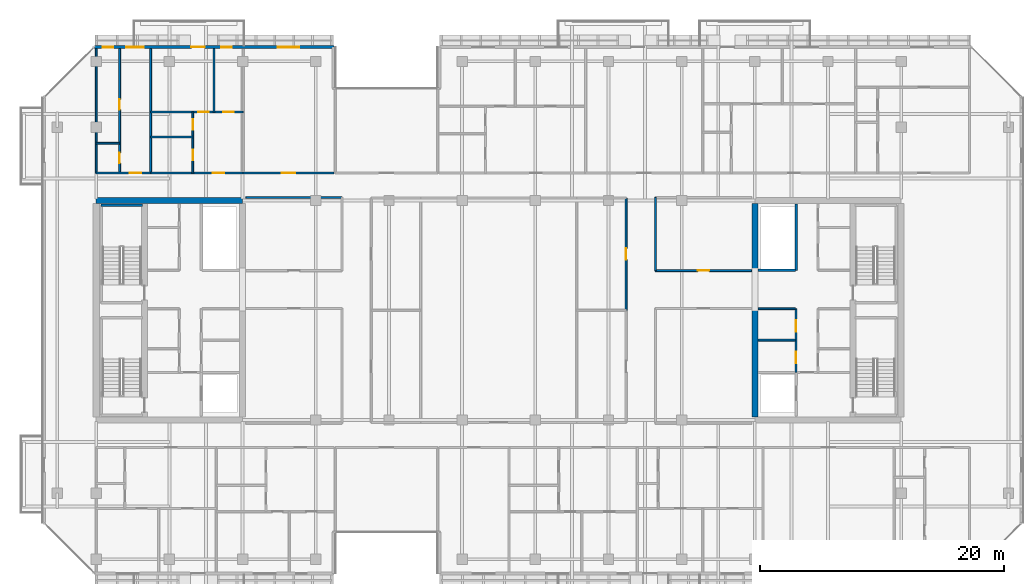
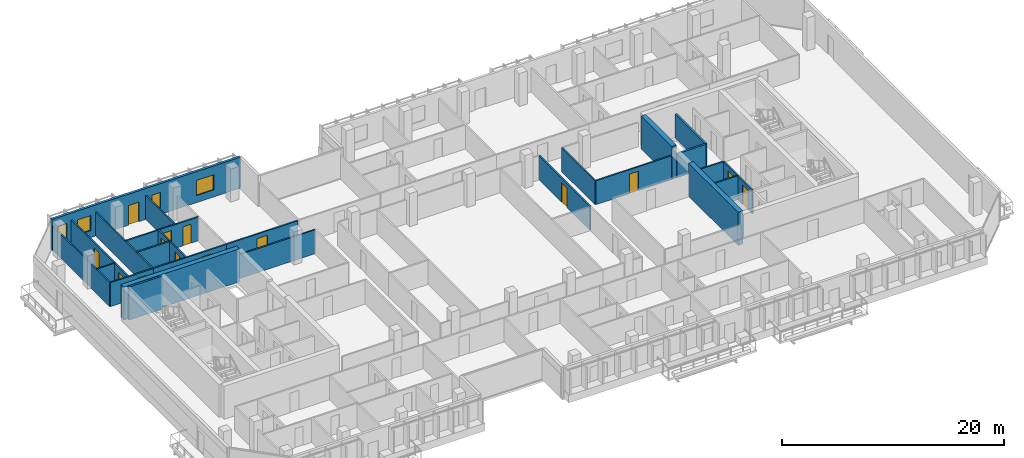
# One storey, part 22 of 30: 25 walls, 14 doors, 4 windows, 18 openings.
"""IFC4 building model written with IfcOpenShell, lengths in metres."""

from ifc_helpers import new_model, si_unit, direction, frame, frame_2d, origin, place, context, subcontext, project, spatial, rectangle, extrude, material, layer, layer_set, type_object, element, fill, save


model = new_model("IFC4")

# Units and contexts
model_context = context("Model", 3, precision=1e-05, world=origin(), true_north=direction((0.0, 1.0)))
body_context = subcontext(model_context, "Body", "Model", "MODEL_VIEW")
ifc_project = project(units=[si_unit("LENGTHUNIT", "METRE"), si_unit("AREAUNIT", "SQUARE_METRE"), si_unit("VOLUMEUNIT", "CUBIC_METRE"), si_unit("PLANEANGLEUNIT", "RADIAN"), si_unit("MASSUNIT", "GRAM", prefix="KILO")], contexts=[model_context])

# Site, building, storey
site_placement = place(None, origin())
site = spatial("IfcSite", under=ifc_project, at=site_placement, CompositionType="ELEMENT")
building_placement = place(site_placement, origin())
building = spatial("IfcBuilding", under=site, at=building_placement, Name="Tanjung Sevakor Pilgrim Tower", CompositionType="ELEMENT")
storey_placement = place(building_placement, frame((0.0, 0.0, 165.659912109375)))
storey = spatial("IfcBuildingStorey", under=building, at=storey_placement, Name="L46", CompositionType="ELEMENT", Elevation=165.659912109375)

# Walls
ifc_material_1 = material(Name="Concrete C60/75", Category="concrete")
ifc_layer_1 = layer(ifc_material_1, 0.5)
ifc_layer_set_1 = layer_set([ifc_layer_1], Name="WALL-CW-500")
wall_type_1 = type_object("IfcWallType", Name="WALL-CW-500", PredefinedType="SHEAR", material=ifc_layer_set_1)
wall_1_placement = place(storey_placement, frame((36.0, 42.60009765625, 0.0), z_axis=(0.0, 0.0, 1.0), x_axis=(-1.0, 0.0, 0.0)))
element("IfcWall", 1, at=wall_1_placement, inside=storey, type_object=wall_type_1, Name="L46 W Core North Shear Wall", PredefinedType="SHEAR", context=body_context, shape_type="SweptSolid", body=[
    extrude(rectangle(XDim=12.0, YDim=0.5, at=frame_2d((6.0, 0.0))), origin(), (0.0, 0.0, 1.0), 3.630126953125),
])
wall_2_placement = place(storey_placement, frame((78.0, 24.85009765625, 0.0), z_axis=(0.0, 0.0, 1.0), x_axis=(0.0, 1.0, 0.0)))
element("IfcWall", 2, at=wall_2_placement, inside=storey, type_object=wall_type_1, Name="L46 E Core Inner Shear Wall South", PredefinedType="SHEAR", context=body_context, shape_type="SweptSolid", body=[
    extrude(rectangle(XDim=8.949951171875, YDim=0.5, at=frame_2d((4.47509765625, 0.0))), origin(), (0.0, 0.0, 1.0), 3.630126953125),
])
wall_3_placement = place(storey_placement, frame((78.0, 36.800048828125, 0.0), z_axis=(0.0, 0.0, 1.0), x_axis=(0.0, 1.0, 0.0)))
element("IfcWall", 3, at=wall_3_placement, inside=storey, type_object=wall_type_1, Name="L46 E Core Inner Shear Wall North", PredefinedType="SHEAR", context=body_context, shape_type="SweptSolid", body=[
    extrude(rectangle(XDim=5.550048828125, YDim=0.5, at=frame_2d((2.77490234375, 0.0))), origin(), (0.0, 0.0, 1.0), 3.630126953125),
])
ifc_material_2 = material(Name="Concrete C40/50", Category="concrete")
ifc_layer_2 = layer(ifc_material_2, 0.14990234375)
ifc_layer_set_2 = layer_set([ifc_layer_2], Name="WT-COMP-150")
wall_type_2 = type_object("IfcWallType", Name="WT-COMP-150", PredefinedType="SOLIDWALL", material=ifc_layer_set_2)
for number, where, z_axis, x_axis, name in (
    (4, (78.27001953125, 31.14990234375, 0.0), (0.0, 0.0, 1.0), (1.0, 0.0, 0.0), "L46 Partition IW-L46-019"),
    (5, (78.27001953125, 33.719970703125, 0.0), (0.0, 0.0, 1.0), (1.0, 0.0, 0.0), "L46 Partition IW-L46-020"),
):
    element("IfcWall", number, at=place(storey_placement, frame(where, z_axis=z_axis, x_axis=x_axis)), inside=storey, type_object=wall_type_2, Name=name, PredefinedType="SOLIDWALL", context=body_context, shape_type="SweptSolid", body=[
        extrude(rectangle(XDim=3.050048828125, YDim=0.14990234375, at=frame_2d((1.52490234375, 0.0))), origin(), (0.0, 0.0, 1.0), 2.6298828125),
    ])

# Wall, openings, doors
wall_4_placement = place(storey_placement, frame((81.3798828125, 28.5, 0.0), z_axis=(0.0, 0.0, 1.0), x_axis=(0.0, 1.0, 0.0)))
wall_4 = element("IfcWall", 6, at=wall_4_placement, inside=storey, type_object=wall_type_2, Name="L46 Partition IW-L46-021", PredefinedType="SOLIDWALL", context=body_context, shape_type="SweptSolid", body=[
    extrude(rectangle(XDim=5.219970703125, YDim=0.14990234375, at=frame_2d((2.60986328125, 0.0))), origin(), (0.0, 0.0, 1.0), 2.6298828125),
])
opening_1_placement = place(wall_4_placement, frame((0.75, 0.0, 0.0)))
opening_1 = element("IfcOpeningElement", 7, at=opening_1_placement, cuts=wall_4, Name="Opening ID-FD2", PredefinedType="OPENING", context=body_context, shape_type="SweptSolid", body=[
    extrude(rectangle(XDim=0.949951171875, YDim=2.14990234375, at=frame_2d((0.47509765625, 1.074951171875))), frame((0.0, 0.0849609375, 0.0), z_axis=(0.0, -1.0, 0.0), x_axis=(1.0, 0.0, 0.0)), (0.0, 0.0, 1.0), 0.169921875),
])
opening_2_placement = place(wall_4_placement, frame((3.35009765625, 0.0, 0.0)))
opening_2 = element("IfcOpeningElement", 8, at=opening_2_placement, cuts=wall_4, Name="Opening ID-FD2", PredefinedType="OPENING", context=body_context, shape_type="SweptSolid", body=[
    extrude(rectangle(XDim=0.949951171875, YDim=2.14990234375, at=frame_2d((0.47509765625, 1.074951171875))), frame((0.0, 0.0849609375, 0.0), z_axis=(0.0, -1.0, 0.0), x_axis=(1.0, 0.0, 0.0)), (0.0, 0.0, 1.0), 0.169921875),
])
ifc_material_3 = material(Name="Fire-Rated Timber", Category="wood")
door_type_1 = type_object("IfcDoorType", Name="DT-FIRE-950", OperationType="NOTDEFINED", PredefinedType="DOOR", material=ifc_material_3)
door_1_placement = place(opening_1_placement, origin())
door_1 = element("IfcDoor", 9, at=door_1_placement, inside=storey, type_object=door_type_1, Name="L46 Accessible WC Door", OperationType="SINGLE_SWING_RIGHT", OverallHeight=2.14990234375, OverallWidth=0.949951171875, PredefinedType="DOOR", context=body_context, shape_type="SweptSolid", body=[
    extrude(rectangle(XDim=0.949951171875, YDim=2.14990234375, at=frame_2d((0.47509765625, 1.074951171875))), frame((0.0, 0.02490234375, 0.0), z_axis=(0.0, -1.0, 0.0), x_axis=(1.0, 0.0, 0.0)), (0.0, 0.0, 1.0), 0.050048828125),
])
fill(opening_1, door_1)
door_2_placement = place(opening_2_placement, origin())
door_2 = element("IfcDoor", 10, at=door_2_placement, inside=storey, type_object=door_type_1, Name="L46 Core Service Door", OperationType="SINGLE_SWING_LEFT", OverallHeight=2.14990234375, OverallWidth=0.949951171875, PredefinedType="DOOR", context=body_context, shape_type="SweptSolid", body=[
    extrude(rectangle(XDim=0.949951171875, YDim=2.14990234375, at=frame_2d((0.47509765625, 1.074951171875))), frame((0.0, 0.02490234375, 0.0), z_axis=(0.0, -1.0, 0.0), x_axis=(1.0, 0.0, 0.0)), (0.0, 0.0, 1.0), 0.050048828125),
])
fill(opening_2, door_2)

# Wall
wall_5_placement = place(storey_placement, frame((36.27001953125, 42.85009765625, 0.0), z_axis=(0.0, 0.0, 1.0), x_axis=(1.0, 0.0, 0.0)))
element("IfcWall", 11, at=wall_5_placement, inside=storey, type_object=wall_type_2, Name="L46 Partition IW-L46-031", PredefinedType="SOLIDWALL", context=body_context, shape_type="SweptSolid", body=[
    extrude(rectangle(XDim=7.8798828125, YDim=0.14990234375, at=frame_2d((3.93994140625, 0.0))), origin(), (0.0, 0.0, 1.0), 2.6298828125),
])

# Wall, opening, door
wall_6_placement = place(storey_placement, frame((69.85009765625, 36.85009765625, 0.0), z_axis=(0.0, 0.0, 1.0), x_axis=(1.0, 0.0, 0.0)))
wall_6 = element("IfcWall", 12, at=wall_6_placement, inside=storey, type_object=wall_type_2, Name="L46 Partition IW-L46-036", PredefinedType="SOLIDWALL", context=body_context, shape_type="SweptSolid", body=[
    extrude(rectangle(XDim=7.8798828125, YDim=0.14990234375, at=frame_2d((3.93994140625, 0.0))), origin(), (0.0, 0.0, 1.0), 2.6298828125),
])
opening_3_placement = place(wall_6_placement, frame((3.465087890625, 0.0, 0.0)))
opening_3 = element("IfcOpeningElement", 13, at=opening_3_placement, cuts=wall_6, Name="Opening ID-RM1", PredefinedType="OPENING", context=body_context, shape_type="SweptSolid", body=[
    extrude(rectangle(XDim=0.949951171875, YDim=2.14990234375, at=frame_2d((0.47509765625, 1.074951171875))), frame((0.0, 0.0849609375, 0.0), z_axis=(0.0, -1.0, 0.0), x_axis=(1.0, 0.0, 0.0)), (0.0, 0.0, 1.0), 0.169921875),
])
ifc_material_4 = material(Name="Hardwood Timber", Category="wood")
door_type_2 = type_object("IfcDoorType", Name="DT-INT-950", OperationType="NOTDEFINED", PredefinedType="DOOR", material=ifc_material_4)
door_3_placement = place(opening_3_placement, origin())
door_3 = element("IfcDoor", 14, at=door_3_placement, inside=storey, type_object=door_type_2, Name="L46 East Inboard North Door", OperationType="SINGLE_SWING_LEFT", OverallHeight=2.14990234375, OverallWidth=0.949951171875, PredefinedType="DOOR", context=body_context, shape_type="SweptSolid", body=[
    extrude(rectangle(XDim=0.949951171875, YDim=2.14990234375, at=frame_2d((0.47509765625, 1.074951171875))), frame((0.0, 0.02490234375, 0.0), z_axis=(0.0, -1.0, 0.0), x_axis=(1.0, 0.0, 0.0)), (0.0, 0.0, 1.0), 0.050048828125),
])
fill(opening_3, door_3)

# Wall
wall_7_placement = place(storey_placement, frame((69.85009765625, 36.85009765625, 0.0), z_axis=(0.0, 0.0, 1.0), x_axis=(0.0, 1.0, 0.0)))
element("IfcWall", 15, at=wall_7_placement, inside=storey, type_object=wall_type_2, Name="L46 Partition IW-L46-038", PredefinedType="SOLIDWALL", context=body_context, shape_type="SweptSolid", body=[
    extrude(rectangle(XDim=6.0, YDim=0.14990234375, at=frame_2d((3.0, 0.0))), origin(), (0.0, 0.0, 1.0), 2.6298828125),
])

# Wall, opening, door
wall_8_placement = place(storey_placement, frame((67.449951171875, 33.60009765625, 0.0), z_axis=(0.0, 0.0, 1.0), x_axis=(0.0, 1.0, 0.0)))
wall_8 = element("IfcWall", 16, at=wall_8_placement, inside=storey, type_object=wall_type_2, Name="L46 Partition IW-L46-052", PredefinedType="SOLIDWALL", context=body_context, shape_type="SweptSolid", body=[
    extrude(rectangle(XDim=9.199951171875, YDim=0.14990234375, at=frame_2d((4.60009765625, 0.0))), origin(), (0.0, 0.0, 1.0), 2.6298828125),
])
opening_4_placement = place(wall_8_placement, frame((4.125, 0.0, 0.0)))
opening_4 = element("IfcOpeningElement", 17, at=opening_4_placement, cuts=wall_8, Name="Opening ID-RM1", PredefinedType="OPENING", context=body_context, shape_type="SweptSolid", body=[
    extrude(rectangle(XDim=0.949951171875, YDim=2.14990234375, at=frame_2d((0.47509765625, 1.074951171875))), frame((0.0, 0.0849609375, 0.0), z_axis=(0.0, -1.0, 0.0), x_axis=(1.0, 0.0, 0.0)), (0.0, 0.0, 1.0), 0.169921875),
])
door_4_placement = place(opening_4_placement, origin())
door_4 = element("IfcDoor", 18, at=door_4_placement, inside=storey, type_object=door_type_2, Name="L46 Female Washroom Door", OperationType="SINGLE_SWING_RIGHT", OverallHeight=2.14990234375, OverallWidth=0.949951171875, PredefinedType="DOOR", context=body_context, shape_type="SweptSolid", body=[
    extrude(rectangle(XDim=0.949951171875, YDim=2.14990234375, at=frame_2d((0.47509765625, 1.074951171875))), frame((0.0, 0.02490234375, 0.0), z_axis=(0.0, -1.0, 0.0), x_axis=(1.0, 0.0, 0.0)), (0.0, 0.0, 1.0), 0.050048828125),
])
fill(opening_4, door_4)

# Walls
for number, where, z_axis, x_axis, name in (
    (19, (24.0, 44.85009765625, 0.0), (0.0, 0.0, 1.0), (0.0, 1.0, 0.0), "L46 Partition IW-L46-091"),
    (20, (28.457275390625, 44.85009765625, 0.0), (0.0, 0.0, 1.0), (0.0, 1.0, 0.0), "L46 Partition IW-L46-092"),
):
    element("IfcWall", number, at=place(storey_placement, frame(where, z_axis=z_axis, x_axis=x_axis)), inside=storey, type_object=wall_type_2, Name=name, PredefinedType="SOLIDWALL", context=body_context, shape_type="SweptSolid", body=[
        extrude(rectangle(XDim=10.199951171875, YDim=0.14990234375, at=frame_2d((5.10009765625, 0.0))), origin(), (0.0, 0.0, 1.0), 2.6298828125),
    ])

# Wall, opening, door
wall_9_placement = place(storey_placement, frame((24.0, 44.85009765625, 0.0), z_axis=(0.0, 0.0, 1.0), x_axis=(1.0, 0.0, 0.0)))
wall_9 = element("IfcWall", 21, at=wall_9_placement, inside=storey, type_object=wall_type_2, Name="L46 Partition IW-L46-095", PredefinedType="SOLIDWALL", context=body_context, shape_type="SweptSolid", body=[
    extrude(rectangle(XDim=4.457275390625, YDim=0.14990234375, at=frame_2d((2.228515625, 0.0))), origin(), (0.0, 0.0, 1.0), 2.6298828125),
])
opening_5_placement = place(wall_9_placement, frame((2.753662109375, 0.0, 0.0)))
opening_5 = element("IfcOpeningElement", 22, at=opening_5_placement, cuts=wall_9, Name="Opening ID-FD2", PredefinedType="OPENING", context=body_context, shape_type="SweptSolid", body=[
    extrude(rectangle(XDim=0.949951171875, YDim=2.14990234375, at=frame_2d((0.47509765625, 1.074951171875))), frame((0.0, 0.0849609375, 0.0), z_axis=(0.0, -1.0, 0.0), x_axis=(1.0, 0.0, 0.0)), (0.0, 0.0, 1.0), 0.169921875),
])
door_5_placement = place(opening_5_placement, origin())
door_5 = element("IfcDoor", 23, at=door_5_placement, inside=storey, type_object=door_type_1, Name="Hotel Guestroom Entrance", OperationType="SINGLE_SWING_RIGHT", OverallHeight=2.14990234375, OverallWidth=0.949951171875, PredefinedType="DOOR", context=body_context, shape_type="SweptSolid", body=[
    extrude(rectangle(XDim=0.949951171875, YDim=2.14990234375, at=frame_2d((0.47509765625, 1.074951171875))), frame((0.0, 0.02490234375, 0.0), z_axis=(0.0, -1.0, 0.0), x_axis=(1.0, 0.0, 0.0)), (0.0, 0.0, 1.0), 0.050048828125),
])
fill(opening_5, door_5)

wall_10_placement = place(storey_placement, frame((28.457275390625, 44.85009765625, 0.0), z_axis=(0.0, 0.0, 1.0), x_axis=(1.0, 0.0, 0.0)))
wall_10 = element("IfcWall", 24, at=wall_10_placement, inside=storey, type_object=wall_type_2, Name="L46 Partition IW-L46-101", PredefinedType="SOLIDWALL", context=body_context, shape_type="SweptSolid", body=[
    extrude(rectangle(XDim=7.593994140625, YDim=0.14990234375, at=frame_2d((3.796875, 0.0))), origin(), (0.0, 0.0, 1.0), 2.6298828125),
])
opening_6_placement = place(wall_10_placement, frame((5.09326171875, 0.0, 0.0)))
opening_6 = element("IfcOpeningElement", 25, at=opening_6_placement, cuts=wall_10, Name="Opening ID-FD2", PredefinedType="OPENING", context=body_context, shape_type="SweptSolid", body=[
    extrude(rectangle(XDim=0.949951171875, YDim=2.14990234375, at=frame_2d((0.47509765625, 1.074951171875))), frame((0.0, 0.0849609375, 0.0), z_axis=(0.0, -1.0, 0.0), x_axis=(1.0, 0.0, 0.0)), (0.0, 0.0, 1.0), 0.169921875),
])
door_6_placement = place(opening_6_placement, origin())
door_6 = element("IfcDoor", 26, at=door_6_placement, inside=storey, type_object=door_type_1, Name="Suite Entrance", OperationType="SINGLE_SWING_LEFT", OverallHeight=2.14990234375, OverallWidth=0.949951171875, PredefinedType="DOOR", context=body_context, shape_type="SweptSolid", body=[
    extrude(rectangle(XDim=0.949951171875, YDim=2.14990234375, at=frame_2d((0.47509765625, 1.074951171875))), frame((0.0, 0.02490234375, 0.0), z_axis=(0.0, -1.0, 0.0), x_axis=(1.0, 0.0, 0.0)), (0.0, 0.0, 1.0), 0.050048828125),
])
fill(opening_6, door_6)

wall_11_placement = place(storey_placement, frame((36.05126953125, 44.85009765625, 0.0), z_axis=(0.0, 0.0, 1.0), x_axis=(1.0, 0.0, 0.0)))
wall_11 = element("IfcWall", 27, at=wall_11_placement, inside=storey, type_object=wall_type_2, Name="L46 Partition IW-L46-102", PredefinedType="SOLIDWALL", context=body_context, shape_type="SweptSolid", body=[
    extrude(rectangle(XDim=7.4287109375, YDim=0.14990234375, at=frame_2d((3.71435546875, 0.0))), origin(), (0.0, 0.0, 1.0), 2.6298828125),
])
opening_7_placement = place(wall_11_placement, frame((3.164306640625, 0.0, 0.0)))
opening_7 = element("IfcOpeningElement", 28, at=opening_7_placement, cuts=wall_11, Name="Opening ID-FD0", PredefinedType="OPENING", context=body_context, shape_type="SweptSolid", body=[
    extrude(rectangle(XDim=1.10009765625, YDim=2.14990234375, at=frame_2d((0.550048828125, 1.074951171875))), frame((0.0, 0.0849609375, 0.0), z_axis=(0.0, -1.0, 0.0), x_axis=(1.0, 0.0, 0.0)), (0.0, 0.0, 1.0), 0.169921875),
])
ifc_material_5 = material(Name="Fire-Rated Steel S355J2", Category="steel")
door_type_3 = type_object("IfcDoorType", Name="DT-FIRE-1100", OperationType="NOTDEFINED", PredefinedType="DOOR", material=ifc_material_5)
door_7_placement = place(opening_7_placement, origin())
door_7 = element("IfcDoor", 29, at=door_7_placement, inside=storey, type_object=door_type_3, Name="Seminar Room Door", OperationType="SINGLE_SWING_RIGHT", OverallHeight=2.14990234375, OverallWidth=1.10009765625, PredefinedType="DOOR", context=body_context, shape_type="SweptSolid", body=[
    extrude(rectangle(XDim=1.10009765625, YDim=2.14990234375, at=frame_2d((0.550048828125, 1.074951171875))), frame((0.0, 0.02490234375, 0.0), z_axis=(0.0, -1.0, 0.0), x_axis=(1.0, 0.0, 0.0)), (0.0, 0.0, 1.0), 0.050048828125),
])
fill(opening_7, door_7)

# Wall, openings, door, windows
ifc_material_6 = material(Name="Precast concrete C45/55", Category="concrete")
ifc_layer_3 = layer(ifc_material_6, 0.25)
ifc_layer_set_3 = layer_set([ifc_layer_3], Name="WT-EW-STN3")
wall_type_3 = type_object("IfcWallType", Name="WT-EW-STN3", PredefinedType="SOLIDWALL", material=ifc_layer_set_3)
wall_12_placement = place(storey_placement, frame((43.47509765625, 55.175048828125, 0.0), z_axis=(0.0, 0.0, 1.0), x_axis=(-1.0, 0.0, 0.0)))
wall_12 = element("IfcWall", 30, at=wall_12_placement, inside=storey, type_object=wall_type_3, Name="L46 MAIN Exterior Wall 13", PredefinedType="SOLIDWALL", context=body_context, shape_type="SweptSolid", body=[
    extrude(rectangle(XDim=19.623291015625, YDim=0.25, at=frame_2d((9.8115234375, 0.0))), origin(), (0.0, 0.0, 1.0), 3.409912109375),
])
opening_8_placement = place(wall_12_placement, frame((10.574951171875, 0.0, 0.0)))
opening_8 = element("IfcOpeningElement", 31, at=opening_8_placement, cuts=wall_12, Name="Opening ED-BAL-1100", PredefinedType="OPENING", context=body_context, shape_type="SweptSolid", body=[
    extrude(rectangle(XDim=1.10009765625, YDim=2.14990234375, at=frame_2d((0.550048828125, 1.074951171875))), frame((0.0, 0.135009765625, 0.0), z_axis=(0.0, -1.0, 0.0), x_axis=(1.0, 0.0, 0.0)), (0.0, 0.0, 1.0), 0.27001953125),
])
opening_9_placement = place(wall_12_placement, frame((18.080078125, 0.0, 0.780029296875)))
opening_9 = element("IfcOpeningElement", 32, at=opening_9_placement, cuts=wall_12, Name="Opening WN-SLM", PredefinedType="OPENING", context=body_context, shape_type="SweptSolid", body=[
    extrude(rectangle(XDim=0.85009765625, YDim=1.64990234375, at=frame_2d((0.425048828125, 0.824951171875))), frame((0.0, 0.135009765625, 0.0), z_axis=(0.0, -1.0, 0.0), x_axis=(1.0, 0.0, 0.0)), (0.0, 0.0, 1.0), 0.27001953125),
])
opening_10_placement = place(wall_12_placement, frame((15.596435546875, 0.0, 0.780029296875)))
opening_10 = element("IfcOpeningElement", 33, at=opening_10_placement, cuts=wall_12, Name="Opening WN-END", PredefinedType="OPENING", context=body_context, shape_type="SweptSolid", body=[
    extrude(rectangle(XDim=1.39990234375, YDim=1.64990234375, at=frame_2d((0.699951171875, 0.824951171875))), frame((0.0, 0.135009765625, 0.0), z_axis=(0.0, -1.0, 0.0), x_axis=(1.0, 0.0, 0.0)), (0.0, 0.0, 1.0), 0.27001953125),
])
opening_11_placement = place(wall_12_placement, frame((8.368896484375, 0.0, 0.780029296875)))
opening_11 = element("IfcOpeningElement", 34, at=opening_11_placement, cuts=wall_12, Name="Opening WN-SLM", PredefinedType="OPENING", context=body_context, shape_type="SweptSolid", body=[
    extrude(rectangle(XDim=0.85009765625, YDim=1.64990234375, at=frame_2d((0.425048828125, 0.824951171875))), frame((0.0, 0.135009765625, 0.0), z_axis=(0.0, -1.0, 0.0), x_axis=(1.0, 0.0, 0.0)), (0.0, 0.0, 1.0), 0.27001953125),
])
opening_12_placement = place(wall_12_placement, frame((2.809326171875, 0.0, 0.780029296875)))
opening_12 = element("IfcOpeningElement", 35, at=opening_12_placement, cuts=wall_12, Name="Opening WN-Z3-1660", PredefinedType="OPENING", context=body_context, shape_type="SweptSolid", body=[
    extrude(rectangle(XDim=1.800048828125, YDim=1.659912109375, at=frame_2d((0.89990234375, 0.830078125))), frame((0.0, 0.135009765625, 0.0), z_axis=(0.0, -1.0, 0.0), x_axis=(1.0, 0.0, 0.0)), (0.0, 0.0, 1.0), 0.27001953125),
])
ifc_material_7 = material(Name="Anodised Aluminium and Laminated Glass", Category="aluminium")
door_type_4 = type_object("IfcDoorType", Name="DTYP-ED-BAL-1100", OperationType="NOTDEFINED", PredefinedType="DOOR", material=ifc_material_7)
door_8_placement = place(opening_8_placement, frame((1.10009765625, 0.0, 0.0), z_axis=(0.0, 0.0, 1.0), x_axis=(-1.0, 0.0, 0.0)))
door_8 = element("IfcDoor", 36, at=door_8_placement, inside=storey, type_object=door_type_4, Name="L46 Balcony Door MAIN-N1", OperationType="SINGLE_SWING_LEFT", OverallHeight=2.14990234375, OverallWidth=1.10009765625, PredefinedType="DOOR", context=body_context, shape_type="SweptSolid", body=[
    extrude(rectangle(XDim=1.10009765625, YDim=2.14990234375, at=frame_2d((0.550048828125, 1.074951171875))), frame((0.0, 0.02490234375, 0.0), z_axis=(0.0, -1.0, 0.0), x_axis=(1.0, 0.0, 0.0)), (0.0, 0.0, 1.0), 0.050048828125),
])
fill(opening_8, door_8)
ifc_material_8 = material(Name="Thermally Broken Aluminium and Low-E Glass", Category="aluminium")
window_type_1 = type_object("IfcWindowType", Name="WTYP-WN-END", PartitioningType="SINGLE_PANEL", PredefinedType="WINDOW", material=ifc_material_8)
window_1_placement = place(opening_10_placement, origin())
window_1 = element("IfcWindow", 37, at=window_1_placement, inside=storey, type_object=window_type_1, Name="L46 Facade Window 02", OverallHeight=1.64990234375, OverallWidth=1.39990234375, PartitioningType="SINGLE_PANEL", PredefinedType="WINDOW", context=body_context, shape_type="SweptSolid", body=[
    extrude(rectangle(XDim=1.39990234375, YDim=1.64990234375, at=frame_2d((0.699951171875, 0.824951171875))), frame((0.0, 0.030029296875, 0.0), z_axis=(0.0, -1.0, 0.0), x_axis=(1.0, 0.0, 0.0)), (0.0, 0.0, 1.0), 0.06005859375),
])
fill(opening_10, window_1)
ifc_material_9 = material(Name="Thermally Broken Aluminium and Low-E Glass", Category="aluminium")
window_type_2 = type_object("IfcWindowType", Name="WTYP-WN-SLM", PartitioningType="SINGLE_PANEL", PredefinedType="WINDOW", material=ifc_material_9)
window_2_placement = place(opening_9_placement, origin())
window_2 = element("IfcWindow", 38, at=window_2_placement, inside=storey, type_object=window_type_2, Name="L46 Facade Window 01", OverallHeight=1.64990234375, OverallWidth=0.85009765625, PartitioningType="SINGLE_PANEL", PredefinedType="WINDOW", context=body_context, shape_type="SweptSolid", body=[
    extrude(rectangle(XDim=0.85009765625, YDim=1.64990234375, at=frame_2d((0.425048828125, 0.824951171875))), frame((0.0, 0.030029296875, 0.0), z_axis=(0.0, -1.0, 0.0), x_axis=(1.0, 0.0, 0.0)), (0.0, 0.0, 1.0), 0.06005859375),
])
fill(opening_9, window_2)
window_3_placement = place(opening_11_placement, origin())
window_3 = element("IfcWindow", 39, at=window_3_placement, inside=storey, type_object=window_type_2, Name="L46 Facade Window 03", OverallHeight=1.64990234375, OverallWidth=0.85009765625, PartitioningType="SINGLE_PANEL", PredefinedType="WINDOW", context=body_context, shape_type="SweptSolid", body=[
    extrude(rectangle(XDim=0.85009765625, YDim=1.64990234375, at=frame_2d((0.425048828125, 0.824951171875))), frame((0.0, 0.030029296875, 0.0), z_axis=(0.0, -1.0, 0.0), x_axis=(1.0, 0.0, 0.0)), (0.0, 0.0, 1.0), 0.06005859375),
])
fill(opening_11, window_3)
ifc_material_10 = material(Name="Thermally Broken Aluminium and Low-E Glass", Category="aluminium")
window_type_3 = type_object("IfcWindowType", Name="WTYP-WN-Z3-1660", PartitioningType="DOUBLE_PANEL_VERTICAL", PredefinedType="WINDOW", material=ifc_material_10)
window_4_placement = place(opening_12_placement, origin())
window_4 = element("IfcWindow", 40, at=window_4_placement, inside=storey, type_object=window_type_3, Name="L46 Facade Window 04", OverallHeight=1.659912109375, OverallWidth=1.800048828125, PartitioningType="SINGLE_PANEL", PredefinedType="WINDOW", context=body_context, shape_type="SweptSolid", body=[
    extrude(rectangle(XDim=1.800048828125, YDim=1.659912109375, at=frame_2d((0.89990234375, 0.830078125))), frame((0.0, 0.030029296875, 0.0), z_axis=(0.0, -1.0, 0.0), x_axis=(1.0, 0.0, 0.0)), (0.0, 0.0, 1.0), 0.06005859375),
])
fill(opening_12, window_4)

# Walls
ifc_material_11 = material(Name="Concrete C40/50", Category="concrete")
ifc_layer_4 = layer(ifc_material_11, 0.199951171875)
ifc_layer_set_4 = layer_set([ifc_layer_4], Name="WT-FIRE-200")
wall_type_4 = type_object("IfcWallType", Name="WT-FIRE-200", PredefinedType="SOLIDWALL", material=ifc_layer_set_4)
wall_13_placement = place(storey_placement, frame((27.800048828125, 42.199951171875, 0.0), z_axis=(0.0, 0.0, 1.0), x_axis=(-1.0, 0.0, 0.0)))
element("IfcWall", 41, at=wall_13_placement, inside=storey, type_object=wall_type_4, Name="L46 TS-W2 Shaft Wall 2", PredefinedType="SOLIDWALL", context=body_context, shape_type="SweptSolid", body=[
    extrude(rectangle(XDim=3.400146484375, YDim=0.199951171875, at=frame_2d((1.7001953125, 0.0))), origin(), (0.0, 0.0, 1.0), 3.630126953125),
])
ifc_material_12 = material(Name="Concrete C40/50", Category="concrete")
ifc_layer_5 = layer(ifc_material_12, 0.199951171875)
ifc_layer_set_5 = layer_set([ifc_layer_5], Name="WT-FPRT-200")
wall_type_5 = type_object("IfcWallType", Name="WT-FPRT-200", PredefinedType="SOLIDWALL", material=ifc_layer_set_5)
wall_14_placement = place(storey_placement, frame((78.27001953125, 36.8798828125, 0.0), z_axis=(0.0, 0.0, 1.0), x_axis=(1.0, 0.0, 0.0)))
element("IfcWall", 42, at=wall_14_placement, inside=storey, type_object=wall_type_5, Name="L46 Partition IW-L46-025", PredefinedType="SOLIDWALL", context=body_context, shape_type="SweptSolid", body=[
    extrude(rectangle(XDim=3.050048828125, YDim=0.199951171875, at=frame_2d((1.52490234375, 0.0))), origin(), (0.0, 0.0, 1.0), 2.6298828125),
])
wall_15_placement = place(storey_placement, frame((81.3798828125, 36.8798828125, 0.0), z_axis=(0.0, 0.0, 1.0), x_axis=(0.0, 1.0, 0.0)))
element("IfcWall", 43, at=wall_15_placement, inside=storey, type_object=wall_type_5, Name="L46 Partition IW-L46-026", PredefinedType="SOLIDWALL", context=body_context, shape_type="SweptSolid", body=[
    extrude(rectangle(XDim=5.420166015625, YDim=0.199951171875, at=frame_2d((2.7099609375, 0.0))), origin(), (0.0, 0.0, 1.0), 2.6298828125),
])
ifc_material_13 = material(Name="Gypsum Board Partition", Category="gypsum board")
ifc_layer_6 = layer(ifc_material_13, 0.14990234375)
ifc_layer_set_6 = layer_set([ifc_layer_6], Name="WT-PART-150")
wall_type_6 = type_object("IfcWallType", Name="WT-PART-150", PredefinedType="PARTITIONING", material=ifc_layer_set_6)
wall_16_placement = place(storey_placement, frame((24.0, 47.300048828125, 0.0), z_axis=(0.0, 0.0, 1.0), x_axis=(1.0, 0.0, 0.0)))
element("IfcWall", 44, at=wall_16_placement, inside=storey, type_object=wall_type_6, Name="L46 Partition IW-L46-093", PredefinedType="PARTITIONING", context=body_context, shape_type="SweptSolid", body=[
    extrude(rectangle(XDim=1.919921875, YDim=0.14990234375, at=frame_2d((0.9599609375, 0.0))), origin(), (0.0, 0.0, 1.0), 2.6298828125),
])

# Wall, openings, doors
wall_17_placement = place(storey_placement, frame((25.919921875, 44.85009765625, 0.0), z_axis=(0.0, 0.0, 1.0), x_axis=(0.0, 1.0, 0.0)))
wall_17 = element("IfcWall", 45, at=wall_17_placement, inside=storey, type_object=wall_type_6, Name="L46 Partition IW-L46-094", PredefinedType="PARTITIONING", context=body_context, shape_type="SweptSolid", body=[
    extrude(rectangle(XDim=10.199951171875, YDim=0.14990234375, at=frame_2d((5.10009765625, 0.0))), origin(), (0.0, 0.0, 1.0), 2.6298828125),
])
opening_13_placement = place(wall_17_placement, frame((0.800048828125, 0.0, 0.0)))
opening_13 = element("IfcOpeningElement", 46, at=opening_13_placement, cuts=wall_17, Name="Opening ID-WC1", PredefinedType="OPENING", context=body_context, shape_type="SweptSolid", body=[
    extrude(rectangle(XDim=0.85009765625, YDim=2.10009765625, at=frame_2d((0.425048828125, 1.050048828125))), frame((0.0, 0.0849609375, 0.0), z_axis=(0.0, -1.0, 0.0), x_axis=(1.0, 0.0, 0.0)), (0.0, 0.0, 1.0), 0.169921875),
])
opening_14_placement = place(wall_17_placement, frame((5.2099609375, 0.0, 0.0)))
opening_14 = element("IfcOpeningElement", 47, at=opening_14_placement, cuts=wall_17, Name="Opening ID-WC1", PredefinedType="OPENING", context=body_context, shape_type="SweptSolid", body=[
    extrude(rectangle(XDim=0.85009765625, YDim=2.10009765625, at=frame_2d((0.425048828125, 1.050048828125))), frame((0.0, 0.0849609375, 0.0), z_axis=(0.0, -1.0, 0.0), x_axis=(1.0, 0.0, 0.0)), (0.0, 0.0, 1.0), 0.169921875),
])
ifc_material_14 = material(Name="Moisture-Resistant Timber", Category="wood")
door_type_5 = type_object("IfcDoorType", Name="DT-INT-850", OperationType="NOTDEFINED", PredefinedType="DOOR", material=ifc_material_14)
door_9_placement = place(opening_13_placement, origin())
door_9 = element("IfcDoor", 48, at=door_9_placement, inside=storey, type_object=door_type_5, Name="Bathroom Door", OperationType="SINGLE_SWING_RIGHT", OverallHeight=2.10009765625, OverallWidth=0.85009765625, PredefinedType="DOOR", context=body_context, shape_type="SweptSolid", body=[
    extrude(rectangle(XDim=0.85009765625, YDim=2.10009765625, at=frame_2d((0.425048828125, 1.050048828125))), frame((0.0, 0.02490234375, 0.0), z_axis=(0.0, -1.0, 0.0), x_axis=(1.0, 0.0, 0.0)), (0.0, 0.0, 1.0), 0.050048828125),
])
fill(opening_13, door_9)
door_10_placement = place(opening_14_placement, origin())
door_10 = element("IfcDoor", 49, at=door_10_placement, inside=storey, type_object=door_type_5, Name="Study Nook Door", OperationType="SINGLE_SWING_LEFT", OverallHeight=2.10009765625, OverallWidth=0.85009765625, PredefinedType="DOOR", context=body_context, shape_type="SweptSolid", body=[
    extrude(rectangle(XDim=0.85009765625, YDim=2.10009765625, at=frame_2d((0.425048828125, 1.050048828125))), frame((0.0, 0.02490234375, 0.0), z_axis=(0.0, -1.0, 0.0), x_axis=(1.0, 0.0, 0.0)), (0.0, 0.0, 1.0), 0.050048828125),
])
fill(opening_14, door_10)

# Wall
wall_18_placement = place(storey_placement, frame((28.457275390625, 47.800048828125, 0.0), z_axis=(0.0, 0.0, 1.0), x_axis=(1.0, 0.0, 0.0)))
element("IfcWall", 50, at=wall_18_placement, inside=storey, type_object=wall_type_6, Name="L46 Partition IW-L46-097", PredefinedType="PARTITIONING", context=body_context, shape_type="SweptSolid", body=[
    extrude(rectangle(XDim=3.462646484375, YDim=0.14990234375, at=frame_2d((1.7314453125, 0.0))), origin(), (0.0, 0.0, 1.0), 2.6298828125),
])

# Wall, openings, doors
wall_19_placement = place(storey_placement, frame((31.919921875, 44.85009765625, 0.0), z_axis=(0.0, 0.0, 1.0), x_axis=(0.0, 1.0, 0.0)))
wall_19 = element("IfcWall", 51, at=wall_19_placement, inside=storey, type_object=wall_type_6, Name="L46 Partition IW-L46-098", PredefinedType="PARTITIONING", context=body_context, shape_type="SweptSolid", body=[
    extrude(rectangle(XDim=5.0, YDim=0.14990234375, at=frame_2d((2.5, 0.0))), origin(), (0.0, 0.0, 1.0), 2.6298828125),
])
opening_15_placement = place(wall_19_placement, frame((1.050048828125, 0.0, 0.0)))
opening_15 = element("IfcOpeningElement", 52, at=opening_15_placement, cuts=wall_19, Name="Opening ID-WC1", PredefinedType="OPENING", context=body_context, shape_type="SweptSolid", body=[
    extrude(rectangle(XDim=0.85009765625, YDim=2.10009765625, at=frame_2d((0.425048828125, 1.050048828125))), frame((0.0, 0.0849609375, 0.0), z_axis=(0.0, -1.0, 0.0), x_axis=(1.0, 0.0, 0.0)), (0.0, 0.0, 1.0), 0.169921875),
])
opening_16_placement = place(wall_19_placement, frame((3.550048828125, 0.0, 0.0)))
opening_16 = element("IfcOpeningElement", 53, at=opening_16_placement, cuts=wall_19, Name="Opening ID-WC1", PredefinedType="OPENING", context=body_context, shape_type="SweptSolid", body=[
    extrude(rectangle(XDim=0.85009765625, YDim=2.10009765625, at=frame_2d((0.425048828125, 1.050048828125))), frame((0.0, 0.0849609375, 0.0), z_axis=(0.0, -1.0, 0.0), x_axis=(1.0, 0.0, 0.0)), (0.0, 0.0, 1.0), 0.169921875),
])
door_11_placement = place(opening_15_placement, origin())
door_11 = element("IfcDoor", 54, at=door_11_placement, inside=storey, type_object=door_type_5, Name="Suite Kitchenette Door", OperationType="SINGLE_SWING_LEFT", OverallHeight=2.10009765625, OverallWidth=0.85009765625, PredefinedType="DOOR", context=body_context, shape_type="SweptSolid", body=[
    extrude(rectangle(XDim=0.85009765625, YDim=2.10009765625, at=frame_2d((0.425048828125, 1.050048828125))), frame((0.0, 0.02490234375, 0.0), z_axis=(0.0, -1.0, 0.0), x_axis=(1.0, 0.0, 0.0)), (0.0, 0.0, 1.0), 0.050048828125),
])
fill(opening_15, door_11)
door_12_placement = place(opening_16_placement, origin())
door_12 = element("IfcDoor", 55, at=door_12_placement, inside=storey, type_object=door_type_5, Name="Suite Bathroom Door", OperationType="SINGLE_SWING_RIGHT", OverallHeight=2.10009765625, OverallWidth=0.85009765625, PredefinedType="DOOR", context=body_context, shape_type="SweptSolid", body=[
    extrude(rectangle(XDim=0.85009765625, YDim=2.10009765625, at=frame_2d((0.425048828125, 1.050048828125))), frame((0.0, 0.02490234375, 0.0), z_axis=(0.0, -1.0, 0.0), x_axis=(1.0, 0.0, 0.0)), (0.0, 0.0, 1.0), 0.050048828125),
])
fill(opening_16, door_12)

# Wall
wall_20_placement = place(storey_placement, frame((33.651123046875, 49.85009765625, 0.0), z_axis=(0.0, 0.0, 1.0), x_axis=(0.0, 1.0, 0.0)))
element("IfcWall", 56, at=wall_20_placement, inside=storey, type_object=wall_type_6, Name="L46 Partition IW-L46-099", PredefinedType="PARTITIONING", context=body_context, shape_type="SweptSolid", body=[
    extrude(rectangle(XDim=5.199951171875, YDim=0.14990234375, at=frame_2d((2.60009765625, 0.0))), origin(), (0.0, 0.0, 1.0), 2.6298828125),
])

# Wall, openings, doors
wall_21_placement = place(storey_placement, frame((28.457275390625, 49.85009765625, 0.0), z_axis=(0.0, 0.0, 1.0), x_axis=(1.0, 0.0, 0.0)))
wall_21 = element("IfcWall", 57, at=wall_21_placement, inside=storey, type_object=wall_type_6, Name="L46 Partition IW-L46-100", PredefinedType="PARTITIONING", context=body_context, shape_type="SweptSolid", body=[
    extrude(rectangle(XDim=7.593994140625, YDim=0.14990234375, at=frame_2d((3.796875, 0.0))), origin(), (0.0, 0.0, 1.0), 2.6298828125),
])
opening_17_placement = place(wall_21_placement, frame((3.9033203125, 0.0, 0.0)))
opening_17 = element("IfcOpeningElement", 58, at=opening_17_placement, cuts=wall_21, Name="Opening ID-WC1", PredefinedType="OPENING", context=body_context, shape_type="SweptSolid", body=[
    extrude(rectangle(XDim=0.85009765625, YDim=2.10009765625, at=frame_2d((0.425048828125, 1.050048828125))), frame((0.0, 0.0849609375, 0.0), z_axis=(0.0, -1.0, 0.0), x_axis=(1.0, 0.0, 0.0)), (0.0, 0.0, 1.0), 0.169921875),
])
opening_18_placement = place(wall_21_placement, frame((5.968994140625, 0.0, 0.0)))
opening_18 = element("IfcOpeningElement", 59, at=opening_18_placement, cuts=wall_21, Name="Opening ID-WC1", PredefinedType="OPENING", context=body_context, shape_type="SweptSolid", body=[
    extrude(rectangle(XDim=0.85009765625, YDim=2.10009765625, at=frame_2d((0.425048828125, 1.050048828125))), frame((0.0, 0.0849609375, 0.0), z_axis=(0.0, -1.0, 0.0), x_axis=(1.0, 0.0, 0.0)), (0.0, 0.0, 1.0), 0.169921875),
])
door_13_placement = place(opening_17_placement, origin())
door_13 = element("IfcDoor", 60, at=door_13_placement, inside=storey, type_object=door_type_5, Name="Suite Bedroom 1 Door", OperationType="SINGLE_SWING_LEFT", OverallHeight=2.10009765625, OverallWidth=0.85009765625, PredefinedType="DOOR", context=body_context, shape_type="SweptSolid", body=[
    extrude(rectangle(XDim=0.85009765625, YDim=2.10009765625, at=frame_2d((0.425048828125, 1.050048828125))), frame((0.0, 0.02490234375, 0.0), z_axis=(0.0, -1.0, 0.0), x_axis=(1.0, 0.0, 0.0)), (0.0, 0.0, 1.0), 0.050048828125),
])
fill(opening_17, door_13)
door_14_placement = place(opening_18_placement, origin())
door_14 = element("IfcDoor", 61, at=door_14_placement, inside=storey, type_object=door_type_5, Name="Suite Bedroom 2 Door", OperationType="SINGLE_SWING_RIGHT", OverallHeight=2.10009765625, OverallWidth=0.85009765625, PredefinedType="DOOR", context=body_context, shape_type="SweptSolid", body=[
    extrude(rectangle(XDim=0.85009765625, YDim=2.10009765625, at=frame_2d((0.425048828125, 1.050048828125))), frame((0.0, 0.02490234375, 0.0), z_axis=(0.0, -1.0, 0.0), x_axis=(1.0, 0.0, 0.0)), (0.0, 0.0, 1.0), 0.050048828125),
])
fill(opening_18, door_14)

save(model, "model.ifc")
